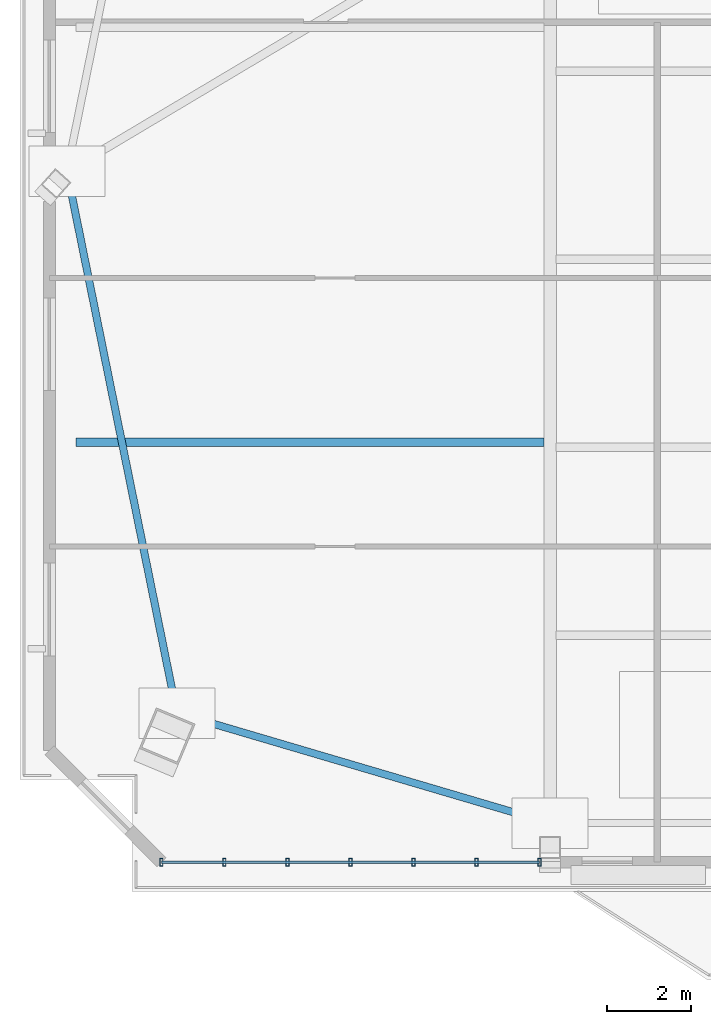
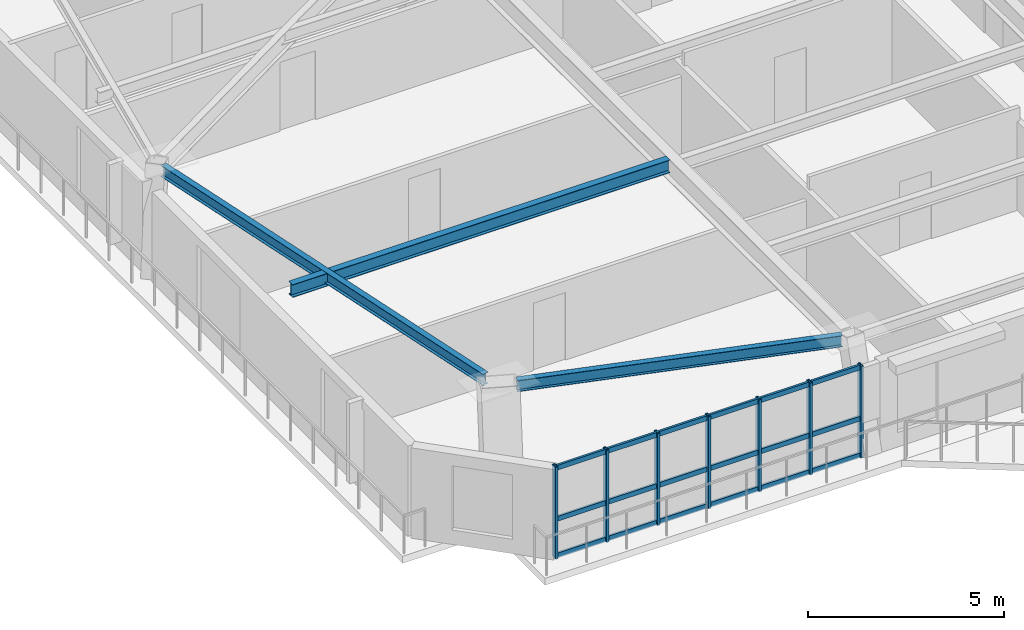
# One storey, part 2 of 18: 10 members, 3 beams, 1 element without a shape of its own.
"""IFC4 building model written with IfcOpenShell, lengths in metres."""

from ifc_helpers import new_model, si_unit, direction, frame, origin, origin_2d, place, context, subcontext, project, spatial, hollow_rectangle, i_section, extrude, source, transform, mapped, material, layer, layer_set, material_profile, profile_set, type_object, element, aggregate, save


model = new_model("IFC4")

# Units and contexts
model_context = context("Model", 3, precision=1e-05, world=origin(), true_north=direction((0.0, 1.0)))
body_context = subcontext(model_context, "Body", "Model", "MODEL_VIEW")
ifc_project = project(units=[si_unit("LENGTHUNIT", "METRE"), si_unit("AREAUNIT", "SQUARE_METRE"), si_unit("VOLUMEUNIT", "CUBIC_METRE"), si_unit("PLANEANGLEUNIT", "RADIAN"), si_unit("MASSUNIT", "GRAM", prefix="KILO")], contexts=[model_context])

# Site, building, storey
site_placement = place(None, origin())
site = spatial("IfcSite", under=ifc_project, at=site_placement, CompositionType="ELEMENT")
building_placement = place(site_placement, origin())
building = spatial("IfcBuilding", under=site, at=building_placement, Name="Giltprow Tower", CompositionType="ELEMENT")
storey_placement = place(building_placement, frame((0.0, 0.0, 245.10009765625)))
storey = spatial("IfcBuildingStorey", under=building, at=storey_placement, Name="L62", CompositionType="ELEMENT", Elevation=245.10009765625)

# Beams
ifc_material_1 = material(Name="Structural steel Q355B", Category="steel")
ifc_material_profile_1 = material_profile(ifc_material_1, i_section(OverallWidth=0.175048828125, OverallDepth=0.35009765625, WebThickness=0.007080078125, FlangeThickness=0.010986328125, at=origin_2d()), Name="HN 350x175x7x11")
ifc_profile_set_1 = profile_set([ifc_material_profile_1], Name="Structural steel Q355B")
beam_type_1 = type_object("IfcBeamType", Name="BM-SPAN-HN350", PredefinedType="SPANDREL", material=ifc_profile_set_1)
shared_shape_1 = source(origin(), body_context, "Body", "SweptSolid", [
    extrude(i_section(OverallWidth=0.175048828125, OverallDepth=0.35009765625, WebThickness=0.007080078125, FlangeThickness=0.010986328125, at=origin_2d()), origin(), (0.0, 0.0, 1.0), 8.529052734375),
])
beam_1_placement = place(storey_placement, frame((11.444091796875, 17.591064453125, 3.010009765625), z_axis=(0.959176127722, -0.282809398726, 0.0), x_axis=(0.282809398726, 0.959176127722, 0.0)))
element("IfcBeam", 1, at=beam_1_placement, inside=storey, type_object=beam_type_1, Name="L62 Perimeter Spandrel Beam MC_SW-S1", PredefinedType="SPANDREL", context=body_context, shape_type="MappedRepresentation", body=[
    mapped(shared_shape_1, transform((0.0, 0.0, 0.0), x_axis=(1.0, 0.0, 0.0), y_axis=(0.0, 1.0, 0.0), z_axis=(0.0, 0.0, 1.0), scale=1.0)),
])
shared_shape_2 = source(origin(), body_context, "Body", "SweptSolid", [
    extrude(i_section(OverallWidth=0.175048828125, OverallDepth=0.35009765625, WebThickness=0.007080078125, FlangeThickness=0.010986328125, at=origin_2d()), origin(), (0.0, 0.0, 1.0), 12.42236328125),
])
beam_2_placement = place(storey_placement, frame((8.410888671875, 30.376953125, 3.010009765625), z_axis=(0.198931044623, -0.98001348944, 0.0), x_axis=(0.98001348944, 0.198931044623, 0.0)))
element("IfcBeam", 2, at=beam_2_placement, inside=storey, type_object=beam_type_1, Name="L62 Perimeter Spandrel Beam W_MID-MC_SW", PredefinedType="SPANDREL", context=body_context, shape_type="MappedRepresentation", body=[
    mapped(shared_shape_2, transform((0.0, 0.0, 0.0), x_axis=(1.0, 0.0, 0.0), y_axis=(0.0, 1.0, 0.0), z_axis=(0.0, 0.0, 1.0), scale=1.0)),
])
ifc_material_profile_2 = material_profile(ifc_material_1, i_section(OverallWidth=0.199951171875, OverallDepth=0.39990234375, WebThickness=0.008056640625, FlangeThickness=0.012939453125, at=origin_2d()), Name="HN 400x200x8x13")
ifc_profile_set_2 = profile_set([ifc_material_profile_2], Name="Structural steel Q355B")
beam_type_2 = type_object("IfcBeamType", Name="BM-JOIST-HN400", PredefinedType="JOIST", material=ifc_profile_set_2)
shared_shape_3 = source(origin(), body_context, "Body", "SweptSolid", [
    extrude(i_section(OverallWidth=0.199951171875, OverallDepth=0.39990234375, WebThickness=0.008056640625, FlangeThickness=0.012939453125, at=origin_2d()), origin(), (0.0, 0.0, 1.0), 11.12109375),
])
beam_3_placement = place(storey_placement, frame((8.583984375, 24.16796875, 2.98486328125), z_axis=(1.0, 0.0, 0.0), x_axis=(0.0, 1.0, 0.0)))
element("IfcBeam", 3, at=beam_3_placement, inside=storey, type_object=beam_type_2, Name="L62 West Wing Floor Joist 1", PredefinedType="JOIST", context=body_context, shape_type="MappedRepresentation", body=[
    mapped(shared_shape_3, transform((0.0, 0.0, 0.0), x_axis=(1.0, 0.0, 0.0), y_axis=(0.0, 1.0, 0.0), z_axis=(0.0, 0.0, 1.0), scale=1.0)),
])

# Curtain wall, members
ifc_material_2 = material(Name="Anodized bronze", Category="metal")
ifc_layer = layer(ifc_material_2, 0.179931640625, Name="Anodized bronze")
ifc_layer_set = layer_set([ifc_layer], Name="Anodized bronze")
curtain_wall_type = type_object("IfcCurtainWallType", Name="CW-RES-SKY", PredefinedType="NOTDEFINED", material=ifc_layer_set)
curtain_wall_placement = place(storey_placement, origin())
curtain_wall = element("IfcCurtainWall", 4, at=curtain_wall_placement, inside=storey, type_object=curtain_wall_type, Name="L62 South Recessed Curtain Wall 1", PredefinedType="NOTDEFINED")
ifc_material_profile_3 = material_profile(ifc_material_2, hollow_rectangle(XDim=0.06494140625, YDim=0.14990234375, WallThickness=0.006103515625, at=origin_2d()), Name="RHS 150x65x6")
ifc_profile_set_3 = profile_set([ifc_material_profile_3], Name="Anodized bronze")
member_type_1 = type_object("IfcMemberType", Name="CW-TRANSOM-150x65", PredefinedType="USERDEFINED", material=ifc_profile_set_3)
shared_shape_4 = source(origin(), body_context, "Body", "SweptSolid", [
    extrude(hollow_rectangle(XDim=0.06494140625, YDim=0.14990234375, WallThickness=0.006103515625, at=origin_2d()), origin(), (0.0, 0.0, 1.0), 8.9912109375),
])
member_1_placement = place(storey_placement, frame((10.60888671875, 14.181884765625, 0.039794921875), z_axis=(1.0, 0.0, 0.0), x_axis=(0.0, 1.0, 0.0)))
member_1 = element("IfcMember", 5, at=member_1_placement, type_object=member_type_1, Name="L62 South Recessed Curtain Wall 1 Transom 1", ObjectType="TRANSOM", PredefinedType="USERDEFINED", context=body_context, shape_type="MappedRepresentation", body=[
    mapped(shared_shape_4, transform((0.0, 0.0, 0.0), x_axis=(1.0, 0.0, 0.0), y_axis=(0.0, 1.0, 0.0), z_axis=(0.0, 0.0, 1.0), scale=1.0)),
])
member_2_placement = place(storey_placement, frame((10.60888671875, 14.181884765625, 1.181884765625), z_axis=(1.0, 0.0, 0.0), x_axis=(0.0, 1.0, 0.0)))
member_2 = element("IfcMember", 6, at=member_2_placement, type_object=member_type_1, Name="L62 South Recessed Curtain Wall 1 Transom 2", ObjectType="TRANSOM", PredefinedType="USERDEFINED", context=body_context, shape_type="MappedRepresentation", body=[
    mapped(shared_shape_4, transform((0.0, 0.0, 0.0), x_axis=(1.0, 0.0, 0.0), y_axis=(0.0, 1.0, 0.0), z_axis=(0.0, 0.0, 1.0), scale=1.0)),
])
member_3_placement = place(storey_placement, frame((10.60888671875, 14.181884765625, 2.77490234375), z_axis=(1.0, 0.0, 0.0), x_axis=(0.0, 1.0, 0.0)))
member_3 = element("IfcMember", 7, at=member_3_placement, type_object=member_type_1, Name="L62 South Recessed Curtain Wall 1 Transom 3", ObjectType="TRANSOM", PredefinedType="USERDEFINED", context=body_context, shape_type="MappedRepresentation", body=[
    mapped(shared_shape_4, transform((0.0, 0.0, 0.0), x_axis=(1.0, 0.0, 0.0), y_axis=(0.0, 1.0, 0.0), z_axis=(0.0, 0.0, 1.0), scale=1.0)),
])
ifc_material_profile_4 = material_profile(ifc_material_2, hollow_rectangle(XDim=0.074951171875, YDim=0.179931640625, WallThickness=0.008056640625, at=origin_2d()), Name="RHS 180x75x8")
ifc_profile_set_4 = profile_set([ifc_material_profile_4], Name="Anodized bronze")
member_type_2 = type_object("IfcMemberType", Name="CW-MULLION-180x75", PredefinedType="MULLION", material=ifc_profile_set_4)
shared_shape_5 = source(origin(), body_context, "Body", "SweptSolid", [
    extrude(hollow_rectangle(XDim=0.074951171875, YDim=0.179931640625, WallThickness=0.008056640625, at=origin_2d()), origin(), (0.0, 0.0, 1.0), 2.869873046875),
])
member_4_placement = place(storey_placement, frame((10.60888671875, 14.181884765625, -0.02001953125), z_axis=(0.0, 0.0, 1.0), x_axis=(1.0, 0.0, 0.0)))
member_4 = element("IfcMember", 8, at=member_4_placement, type_object=member_type_2, Name="L62 South Recessed Curtain Wall 1 Mullion 1", PredefinedType="MULLION", context=body_context, shape_type="MappedRepresentation", body=[
    mapped(shared_shape_5, transform((0.0, 0.0, 0.0), x_axis=(1.0, 0.0, 0.0), y_axis=(0.0, 1.0, 0.0), z_axis=(0.0, 0.0, 1.0), scale=1.0)),
])
member_5_placement = place(storey_placement, frame((12.10693359375, 14.181884765625, -0.02001953125), z_axis=(0.0, 0.0, 1.0), x_axis=(1.0, 0.0, 0.0)))
member_5 = element("IfcMember", 9, at=member_5_placement, type_object=member_type_2, Name="L62 South Recessed Curtain Wall 1 Mullion 2", PredefinedType="MULLION", context=body_context, shape_type="MappedRepresentation", body=[
    mapped(shared_shape_5, transform((0.0, 0.0, 0.0), x_axis=(1.0, 0.0, 0.0), y_axis=(0.0, 1.0, 0.0), z_axis=(0.0, 0.0, 1.0), scale=1.0)),
])
member_6_placement = place(storey_placement, frame((13.60595703125, 14.181884765625, -0.02001953125), z_axis=(0.0, 0.0, 1.0), x_axis=(1.0, 0.0, 0.0)))
member_6 = element("IfcMember", 10, at=member_6_placement, type_object=member_type_2, Name="L62 South Recessed Curtain Wall 1 Mullion 3", PredefinedType="MULLION", context=body_context, shape_type="MappedRepresentation", body=[
    mapped(shared_shape_5, transform((0.0, 0.0, 0.0), x_axis=(1.0, 0.0, 0.0), y_axis=(0.0, 1.0, 0.0), z_axis=(0.0, 0.0, 1.0), scale=1.0)),
])
member_7_placement = place(storey_placement, frame((15.10498046875, 14.181884765625, -0.02001953125), z_axis=(0.0, 0.0, 1.0), x_axis=(1.0, 0.0, 0.0)))
member_7 = element("IfcMember", 11, at=member_7_placement, type_object=member_type_2, Name="L62 South Recessed Curtain Wall 1 Mullion 4", PredefinedType="MULLION", context=body_context, shape_type="MappedRepresentation", body=[
    mapped(shared_shape_5, transform((0.0, 0.0, 0.0), x_axis=(1.0, 0.0, 0.0), y_axis=(0.0, 1.0, 0.0), z_axis=(0.0, 0.0, 1.0), scale=1.0)),
])
member_8_placement = place(storey_placement, frame((16.60302734375, 14.181884765625, -0.02001953125), z_axis=(0.0, 0.0, 1.0), x_axis=(1.0, 0.0, 0.0)))
member_8 = element("IfcMember", 12, at=member_8_placement, type_object=member_type_2, Name="L62 South Recessed Curtain Wall 1 Mullion 5", PredefinedType="MULLION", context=body_context, shape_type="MappedRepresentation", body=[
    mapped(shared_shape_5, transform((0.0, 0.0, 0.0), x_axis=(1.0, 0.0, 0.0), y_axis=(0.0, 1.0, 0.0), z_axis=(0.0, 0.0, 1.0), scale=1.0)),
])
member_9_placement = place(storey_placement, frame((18.10205078125, 14.181884765625, -0.02001953125), z_axis=(0.0, 0.0, 1.0), x_axis=(1.0, 0.0, 0.0)))
member_9 = element("IfcMember", 13, at=member_9_placement, type_object=member_type_2, Name="L62 South Recessed Curtain Wall 1 Mullion 6", PredefinedType="MULLION", context=body_context, shape_type="MappedRepresentation", body=[
    mapped(shared_shape_5, transform((0.0, 0.0, 0.0), x_axis=(1.0, 0.0, 0.0), y_axis=(0.0, 1.0, 0.0), z_axis=(0.0, 0.0, 1.0), scale=1.0)),
])
member_10_placement = place(storey_placement, frame((19.60009765625, 14.181884765625, -0.02001953125), z_axis=(0.0, 0.0, 1.0), x_axis=(1.0, 0.0, 0.0)))
member_10 = element("IfcMember", 14, at=member_10_placement, type_object=member_type_2, Name="L62 South Recessed Curtain Wall 1 Mullion 7", PredefinedType="MULLION", context=body_context, shape_type="MappedRepresentation", body=[
    mapped(shared_shape_5, transform((0.0, 0.0, 0.0), x_axis=(1.0, 0.0, 0.0), y_axis=(0.0, 1.0, 0.0), z_axis=(0.0, 0.0, 1.0), scale=1.0)),
])
aggregate(curtain_wall, [member_4, member_5, member_6, member_7, member_8, member_9, member_10, member_1, member_2, member_3])

save(model, "model.ifc")
